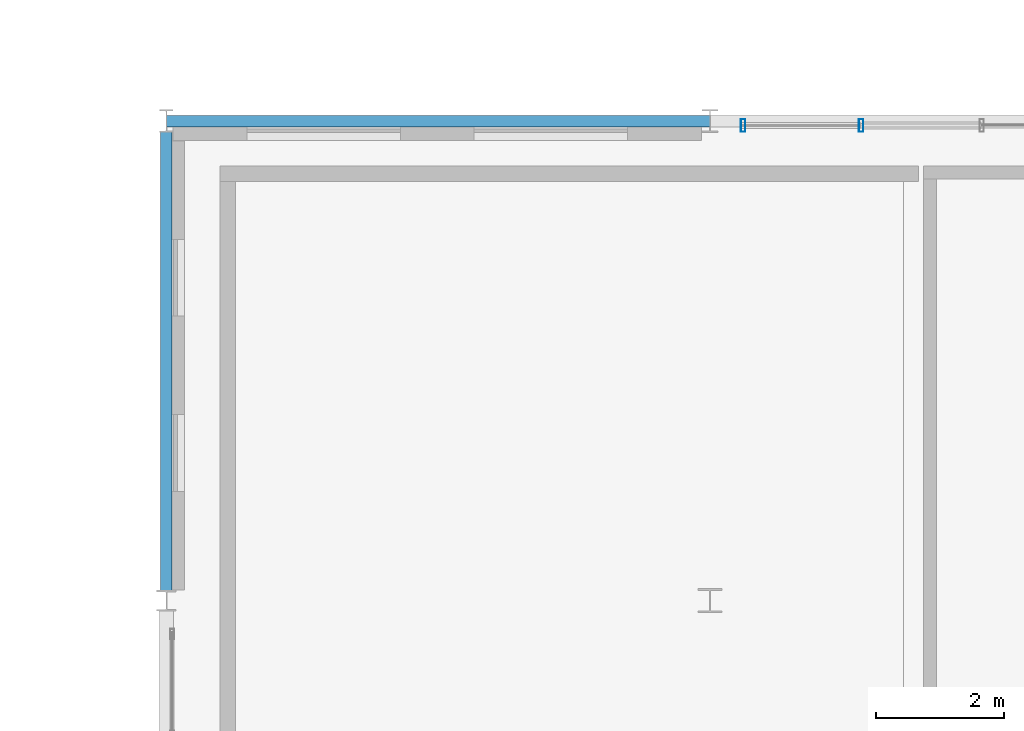
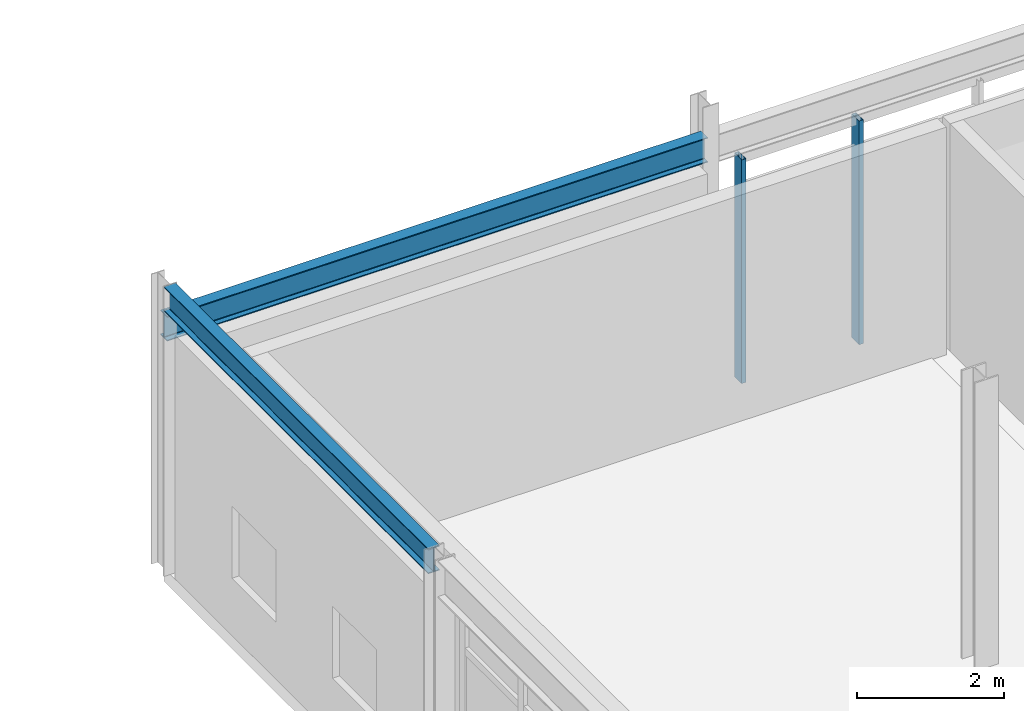
# One storey, part 27 of 56: 2 beams, 2 members, 1 element without a shape of its own.
"""IFC4 building model written with IfcOpenShell, lengths in metres."""

from ifc_helpers import new_model, si_unit, direction, frame, origin, origin_2d, place, context, subcontext, project, spatial, hollow_rectangle, i_section, extrude, material, material_profile, profile_set, type_object, element, aggregate, save


model = new_model("IFC4")

# Units and contexts
model_context = context("Model", 3, precision=1e-05, world=origin(), true_north=direction((0.0, 1.0)))
body_context = subcontext(model_context, "Body", "Model", "MODEL_VIEW")
ifc_project = project(units=[si_unit("LENGTHUNIT", "METRE"), si_unit("AREAUNIT", "SQUARE_METRE"), si_unit("VOLUMEUNIT", "CUBIC_METRE"), si_unit("PLANEANGLEUNIT", "RADIAN"), si_unit("MASSUNIT", "GRAM", prefix="KILO"), si_unit("THERMODYNAMICTEMPERATUREUNIT", "KELVIN"), si_unit("POWERUNIT", "WATT")], contexts=[model_context])

# Site, building, storey
site_placement = place(None, origin())
site = spatial("IfcSite", under=ifc_project, at=site_placement, CompositionType="ELEMENT")
building_placement = place(site_placement, origin())
building = spatial("IfcBuilding", under=site, at=building_placement, Name="Tepalcoro Natatorium and Aquatics Centre", CompositionType="ELEMENT")
storey_placement = place(building_placement, frame((0.0, 0.0, 14.800048828125)))
storey = spatial("IfcBuildingStorey", under=building, at=storey_placement, Name="L03", CompositionType="ELEMENT", Elevation=14.800048828125)

# Curtain wall, members
ifc_material_1 = material(Name="Bronze-Anodised Extruded Aluminium Alloy EN AW-6063 T6", Category="aluminium")
curtain_wall_type = type_object("IfcCurtainWallType", Name="CW_LEAN_T1_EW", PredefinedType="USERDEFINED", material=ifc_material_1)
curtain_wall_placement = place(storey_placement, origin())
curtain_wall = element("IfcCurtainWall", 1, at=curtain_wall_placement, inside=storey, type_object=curtain_wall_type, Name="V2 L03 N Unitised Curtain Wall Bay 2", ObjectType="FACETED SOLAR GLAZING", PredefinedType="USERDEFINED")
ifc_material_profile_1 = material_profile(ifc_material_1, hollow_rectangle(XDim=0.070068359375, YDim=0.199951171875, WallThickness=0.0048828125, at=origin_2d()), Name="AL70X200X5")
ifc_profile_set_1 = profile_set([ifc_material_profile_1], Name="Bronze-Anodised Extruded Aluminium Alloy EN AW-6063 T6")
member_type = type_object("IfcMemberType", Name="CW_MUL_70x200", PredefinedType="MULLION", material=ifc_profile_set_1)
member_1_placement = place(storey_placement, frame((151.02001953125, 58.9287109375, 0.02001953125), z_axis=(0.0, 0.0, 1.0), x_axis=(1.0, 0.0, 0.0)))
member_1 = element("IfcMember", 2, at=member_1_placement, type_object=member_type, Name="CW_LEAN_T1_EW Curtain Wall Mullion", PredefinedType="MULLION", context=body_context, shape_type="SweptSolid", body=[
    extrude(hollow_rectangle(XDim=0.070068359375, YDim=0.199951171875, WallThickness=0.0048828125, at=origin_2d()), origin(), (0.0, 0.0, 1.0), 3.719970703125),
])
member_2_placement = place(storey_placement, frame((152.864990234375, 58.9287109375, 0.02001953125), z_axis=(0.0, 0.0, 1.0), x_axis=(1.0, 0.0, 0.0)))
member_2 = element("IfcMember", 3, at=member_2_placement, type_object=member_type, Name="CW_LEAN_T1_EW Curtain Wall Mullion", PredefinedType="MULLION", context=body_context, shape_type="SweptSolid", body=[
    extrude(hollow_rectangle(XDim=0.070068359375, YDim=0.199951171875, WallThickness=0.0048828125, at=origin_2d()), origin(), (0.0, 0.0, 1.0), 3.719970703125),
])
aggregate(curtain_wall, [member_1, member_2])

# Beams
ifc_material_2 = material(Name="Steel ASTM A992 Grade 50 (Fy 345 MPa)", Category="steel")
ifc_material_profile_2 = material_profile(ifc_material_2, i_section(OverallWidth=0.179931640625, OverallDepth=0.4130859375, WebThickness=0.010009765625, FlangeThickness=0.01611328125, FilletRadius=0.013916015625, at=origin_2d()), Name="W16X50")
ifc_profile_set_2 = profile_set([ifc_material_profile_2], Name="Steel ASTM A992 Grade 50 (Fy 345 MPa)")
beam_type = type_object("IfcBeamType", Name="SP_HSS300x200x12", PredefinedType="SPANDREL", material=ifc_profile_set_2)
beam_1_placement = place(storey_placement, frame((142.0, 59.0, 4.028564453125), z_axis=(1.0, 0.0, 0.0), x_axis=(0.0, 1.0, 0.0)))
element("IfcBeam", 4, at=beam_1_placement, inside=storey, type_object=beam_type, Name="V2 L03 Grid Girder X", PredefinedType="SPANDREL", context=body_context, shape_type="SweptSolid", body=[
    extrude(i_section(OverallWidth=0.179931640625, OverallDepth=0.4130859375, WebThickness=0.010009765625, FlangeThickness=0.01611328125, FilletRadius=0.013916015625, at=origin_2d()), origin(), (0.0, 0.0, 1.0), 8.5),
])
beam_2_placement = place(storey_placement, frame((142.0, 51.64306640625, 4.598388671875), z_axis=(0.0, 1.0, 0.0), x_axis=(-1.0, 0.0, 0.0)))
element("IfcBeam", 5, at=beam_2_placement, inside=storey, type_object=beam_type, Name="V2 L03 Grid Girder Y", PredefinedType="SPANDREL", context=body_context, shape_type="SweptSolid", body=[
    extrude(i_section(OverallWidth=0.179931640625, OverallDepth=0.4130859375, WebThickness=0.010009765625, FlangeThickness=0.01611328125, FilletRadius=0.013916015625, at=origin_2d()), origin(), (0.0, 0.0, 1.0), 7.201416015625),
])

save(model, "model.ifc")
